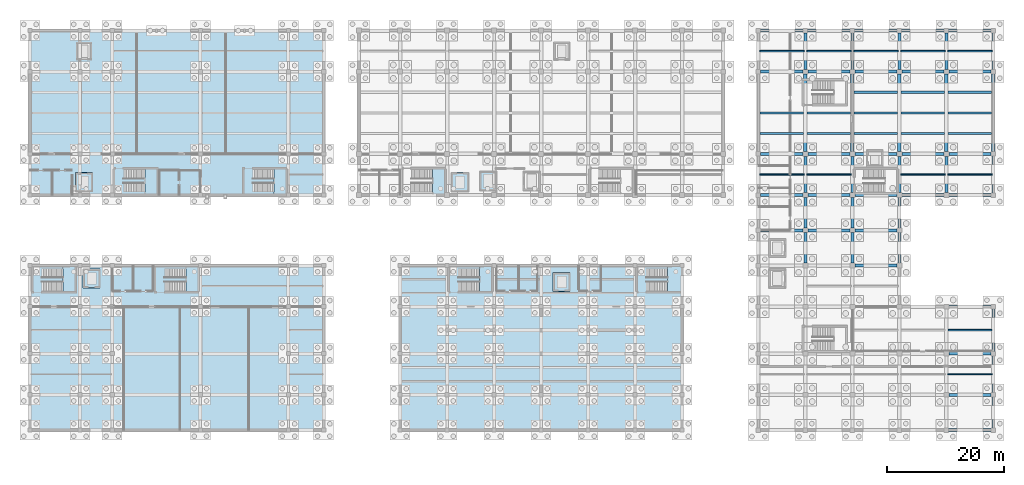
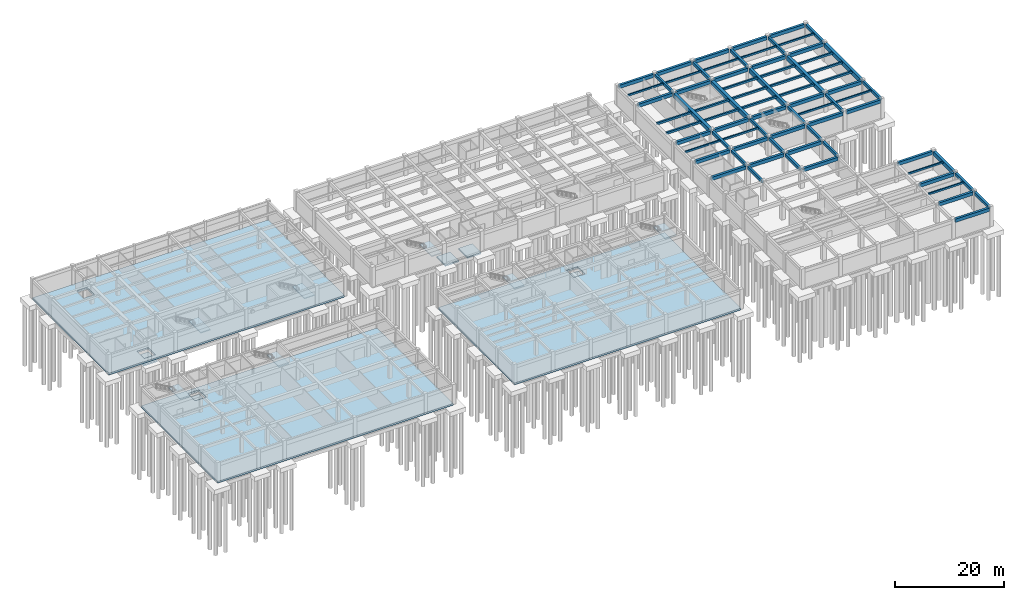
# One storey, part 13 of 28: 76 beams, 15 slabs, 7 elements without a shape of their own.
"""IFC4 building model written with IfcOpenShell, lengths in metres."""

from ifc_helpers import new_model, si_unit, direction, frame, origin, origin_2d, place, context, subcontext, project, spatial, polyline, rectangle, outline, extrude, material, layer, layer_set, material_profile, profile_set, type_object, element, aggregate, save


model = new_model("IFC4")

# Units and contexts
model_context = context("Model", 3, precision=1e-05, world=origin(), true_north=direction((0.0, 1.0)))
body_context = subcontext(model_context, "Body", "Model", "MODEL_VIEW")
ifc_project = project(units=[si_unit("LENGTHUNIT", "METRE"), si_unit("AREAUNIT", "SQUARE_METRE"), si_unit("VOLUMEUNIT", "CUBIC_METRE"), si_unit("PLANEANGLEUNIT", "RADIAN"), si_unit("MASSUNIT", "GRAM", prefix="KILO")], contexts=[model_context])

# Site, building, storey
site_placement = place(None, origin())
site = spatial("IfcSite", under=ifc_project, at=site_placement, CompositionType="ELEMENT")
building_placement = place(site_placement, origin())
building = spatial("IfcBuilding", under=site, at=building_placement, Name="Naurynzar Civic Courthouse", CompositionType="ELEMENT")
storey_placement = place(building_placement, frame((0.0, 0.0, -4.5)))
storey = spatial("IfcBuildingStorey", under=building, at=storey_placement, Name="B01", CompositionType="ELEMENT", Elevation=-4.5)

# Beams
ifc_material_1 = material(Name="Concrete C40/50", Category="concrete")
ifc_material_profile_1 = material_profile(ifc_material_1, rectangle(XDim=0.25, YDim=0.39990234375, at=origin_2d()), Name="RCB 250x400")
ifc_profile_set_1 = profile_set([ifc_material_profile_1], Name="Concrete C40/50")
beam_type_1 = type_object("IfcBeamType", Name="BM-JST-250x400", PredefinedType="JOIST", material=ifc_profile_set_1)
beam_1_placement = place(storey_placement, frame((162.22509765625, 13.5, 4.0), z_axis=(1.0, 0.0, 0.0), x_axis=(0.0, 1.0, 0.0)))
element("IfcBeam", 1, at=beam_1_placement, inside=storey, type_object=beam_type_1, Name="V5 secondary rib 2097 B01", PredefinedType="JOIST", context=body_context, shape_type="SweptSolid", body=[
    extrude(rectangle(XDim=0.25, YDim=0.39990234375, at=origin_2d()), origin(), (0.0, 0.0, 1.0), 7.5498046875),
])
beam_2_placement = place(storey_placement, frame((162.27490234375, 21.0, 4.0), z_axis=(1.0, 0.0, 0.0), x_axis=(0.0, 1.0, 0.0)))
element("IfcBeam", 2, at=beam_2_placement, inside=storey, type_object=beam_type_1, Name="V5 secondary rib 2100 B01", PredefinedType="JOIST", context=body_context, shape_type="SweptSolid", body=[
    extrude(rectangle(XDim=0.25, YDim=0.39990234375, at=origin_2d()), origin(), (0.0, 0.0, 1.0), 7.4501953125),
])
for number, where, z_axis, x_axis, name in (
    (3, (130.22509765625, 47.5, 4.0), (1.0, 0.0, 0.0), (0.0, 1.0, 0.0), "V5 secondary rib 2103 B01"),
    (4, (138.22509765625, 47.5, 4.0), (1.0, 0.0, 0.0), (0.0, 1.0, 0.0), "V5 secondary rib 2104 B01"),
    (5, (154.22509765625, 47.5, 4.0), (1.0, 0.0, 0.0), (0.0, 1.0, 0.0), "V5 secondary rib 2105 B01"),
    (6, (162.22509765625, 47.5, 4.0), (1.0, 0.0, 0.0), (0.0, 1.0, 0.0), "V5 secondary rib 2106 B01"),
    (7, (130.22509765625, 68.5, 4.0), (1.0, 0.0, 0.0), (0.0, 1.0, 0.0), "V5 secondary rib 2120 B01"),
    (8, (138.22509765625, 68.5, 4.0), (1.0, 0.0, 0.0), (0.0, 1.0, 0.0), "V5 secondary rib 2121 B01"),
    (9, (146.22509765625, 68.5, 4.0), (1.0, 0.0, 0.0), (0.0, 1.0, 0.0), "V5 secondary rib 2122 B01"),
    (10, (154.22509765625, 68.5, 4.0), (1.0, 0.0, 0.0), (0.0, 1.0, 0.0), "V5 secondary rib 2123 B01"),
    (11, (162.22509765625, 68.5, 4.0), (1.0, 0.0, 0.0), (0.0, 1.0, 0.0), "V5 secondary rib 2124 B01"),
):
    element("IfcBeam", number, at=place(storey_placement, frame(where, z_axis=z_axis, x_axis=x_axis)), inside=storey, type_object=beam_type_1, Name=name, PredefinedType="JOIST", context=body_context, shape_type="SweptSolid", body=[
        extrude(rectangle(XDim=0.25, YDim=0.39990234375, at=origin_2d()), origin(), (0.0, 0.0, 1.0), 7.5498046875),
    ])
ifc_material_2 = material(Name="Concrete C40/50", Category="concrete")
ifc_material_profile_2 = material_profile(ifc_material_2, rectangle(XDim=0.60009765625, YDim=0.949951171875, at=origin_2d()), Name="PTB 600x950")
ifc_profile_set_2 = profile_set([ifc_material_profile_2], Name="Concrete C40/50")
beam_type_2 = type_object("IfcBeamType", Name="BM-PT-600x950", PredefinedType="T_BEAM", material=ifc_profile_set_2)
for number, where, z_axis, x_axis, name in (
    (12, (138.0, 51.39990234375, 3.72509765625), (0.0, 1.0, 0.0), (-1.0, 0.0, 0.0), "V5 girder Y-2061 B01"),
    (13, (146.0, 51.39990234375, 3.72509765625), (0.0, 1.0, 0.0), (-1.0, 0.0, 0.0), "V5 girder Y-2070 B01"),
    (14, (154.0, 51.39990234375, 3.72509765625), (0.0, 1.0, 0.0), (-1.0, 0.0, 0.0), "V5 girder Y-2079 B01"),
    (15, (162.0, 51.39990234375, 3.72509765625), (0.0, 1.0, 0.0), (-1.0, 0.0, 0.0), "V5 girder Y-2085 B01"),
):
    element("IfcBeam", number, at=place(storey_placement, frame(where, z_axis=z_axis, x_axis=x_axis)), inside=storey, type_object=beam_type_2, Name=name, PredefinedType="T_BEAM", context=body_context, shape_type="SweptSolid", body=[
        extrude(rectangle(XDim=0.60009765625, YDim=0.949951171875, at=origin_2d()), origin(), (0.0, 0.0, 1.0), 13.2001953125),
    ])
beam_3_placement = place(storey_placement, frame((170.0, 51.375, 3.72509765625), z_axis=(0.0, 1.0, 0.0), x_axis=(-1.0, 0.0, 0.0)))
element("IfcBeam", 16, at=beam_3_placement, inside=storey, type_object=beam_type_2, Name="V5 girder Y-2091 B01", PredefinedType="T_BEAM", context=body_context, shape_type="SweptSolid", body=[
    extrude(rectangle(XDim=0.60009765625, YDim=0.949951171875, at=origin_2d()), origin(), (0.0, 0.0, 1.0), 13.25),
])
ifc_material_3 = material(Name="Concrete C40/50", Category="concrete")
ifc_material_profile_3 = material_profile(ifc_material_3, rectangle(XDim=0.35009765625, YDim=0.449951171875, at=origin_2d()), Name="RCB 350x450")
ifc_profile_set_3 = profile_set([ifc_material_profile_3], Name="Concrete C40/50")
beam_type_3 = type_object("IfcBeamType", Name="BM-RC-350x450", PredefinedType="BEAM", material=ifc_profile_set_3)
for number, where, z_axis, x_axis, name in (
    (17, (130.300048828125, 54.5, 3.97509765625), (1.0, 0.0, 0.0), (0.0, 1.0, 0.0), "V5 secondary rib 2107 B01"),
    (18, (130.300048828125, 58.0, 3.97509765625), (1.0, 0.0, 0.0), (0.0, 1.0, 0.0), "V5 secondary rib 2108 B01"),
    (19, (138.300048828125, 54.5, 3.97509765625), (1.0, 0.0, 0.0), (0.0, 1.0, 0.0), "V5 secondary rib 2109 B01"),
    (20, (138.300048828125, 58.0, 3.97509765625), (1.0, 0.0, 0.0), (0.0, 1.0, 0.0), "V5 secondary rib 2110 B01"),
    (21, (146.300048828125, 54.5, 3.97509765625), (1.0, 0.0, 0.0), (0.0, 1.0, 0.0), "V5 secondary rib 2111 B01"),
    (22, (146.300048828125, 58.0, 3.97509765625), (1.0, 0.0, 0.0), (0.0, 1.0, 0.0), "V5 secondary rib 2112 B01"),
    (23, (146.300048828125, 61.5, 3.97509765625), (1.0, 0.0, 0.0), (0.0, 1.0, 0.0), "V5 secondary rib 2113 B01"),
    (24, (154.300048828125, 54.5, 3.97509765625), (1.0, 0.0, 0.0), (0.0, 1.0, 0.0), "V5 secondary rib 2114 B01"),
    (25, (154.300048828125, 58.0, 3.97509765625), (1.0, 0.0, 0.0), (0.0, 1.0, 0.0), "V5 secondary rib 2115 B01"),
    (26, (154.300048828125, 61.5, 3.97509765625), (1.0, 0.0, 0.0), (0.0, 1.0, 0.0), "V5 secondary rib 2116 B01"),
    (27, (162.300048828125, 54.5, 3.97509765625), (1.0, 0.0, 0.0), (0.0, 1.0, 0.0), "V5 secondary rib 2117 B01"),
    (28, (162.300048828125, 58.0, 3.97509765625), (1.0, 0.0, 0.0), (0.0, 1.0, 0.0), "V5 secondary rib 2118 B01"),
    (29, (162.300048828125, 61.5, 3.97509765625), (1.0, 0.0, 0.0), (0.0, 1.0, 0.0), "V5 secondary rib 2119 B01"),
):
    element("IfcBeam", number, at=place(storey_placement, frame(where, z_axis=z_axis, x_axis=x_axis)), inside=storey, type_object=beam_type_3, Name=name, PredefinedType="BEAM", context=body_context, shape_type="SweptSolid", body=[
        extrude(rectangle(XDim=0.35009765625, YDim=0.449951171875, at=origin_2d()), origin(), (0.0, 0.0, 1.0), 7.39990234375),
    ])
ifc_material_4 = material(Name="Concrete C40/50", Category="concrete")
ifc_material_profile_4 = material_profile(ifc_material_4, rectangle(XDim=0.449951171875, YDim=0.64990234375, at=origin_2d()), Name="RCB 450x650")
ifc_profile_set_4 = profile_set([ifc_material_profile_4], Name="Concrete C40/50")
beam_type_4 = type_object("IfcBeamType", Name="BM-RC-450x650", PredefinedType="BEAM", material=ifc_profile_set_4)
for number, where, z_axis, x_axis, name in (
    (30, (138.0, 32.39990234375, 3.875), (0.0, 1.0, 0.0), (-1.0, 0.0, 0.0), "V5 girder Y-2058 B01"),
    (31, (138.0, 38.39990234375, 3.875), (0.0, 1.0, 0.0), (-1.0, 0.0, 0.0), "V5 girder Y-2059 B01"),
):
    element("IfcBeam", number, at=place(storey_placement, frame(where, z_axis=z_axis, x_axis=x_axis)), inside=storey, type_object=beam_type_4, Name=name, PredefinedType="BEAM", context=body_context, shape_type="SweptSolid", body=[
        extrude(rectangle(XDim=0.449951171875, YDim=0.64990234375, at=origin_2d()), origin(), (0.0, 0.0, 1.0), 5.2001953125),
    ])
beam_4_placement = place(storey_placement, frame((138.0, 44.39990234375, 3.875), z_axis=(0.0, 1.0, 0.0), x_axis=(-1.0, 0.0, 0.0)))
element("IfcBeam", 32, at=beam_4_placement, inside=storey, type_object=beam_type_4, Name="V5 girder Y-2060 B01", PredefinedType="BEAM", context=body_context, shape_type="SweptSolid", body=[
    extrude(rectangle(XDim=0.449951171875, YDim=0.64990234375, at=origin_2d()), origin(), (0.0, 0.0, 1.0), 6.2001953125),
])
beam_5_placement = place(storey_placement, frame((138.0, 65.39990234375, 3.875), z_axis=(0.0, 1.0, 0.0), x_axis=(-1.0, 0.0, 0.0)))
element("IfcBeam", 33, at=beam_5_placement, inside=storey, type_object=beam_type_4, Name="V5 girder Y-2062 B01", PredefinedType="BEAM", context=body_context, shape_type="SweptSolid", body=[
    extrude(rectangle(XDim=0.449951171875, YDim=0.64990234375, at=origin_2d()), origin(), (0.0, 0.0, 1.0), 6.22509765625),
])
for number, where, z_axis, x_axis, name in (
    (34, (146.0, 32.39990234375, 3.875), (0.0, 1.0, 0.0), (-1.0, 0.0, 0.0), "V5 girder Y-2067 B01"),
    (35, (146.0, 38.39990234375, 3.875), (0.0, 1.0, 0.0), (-1.0, 0.0, 0.0), "V5 girder Y-2068 B01"),
):
    element("IfcBeam", number, at=place(storey_placement, frame(where, z_axis=z_axis, x_axis=x_axis)), inside=storey, type_object=beam_type_4, Name=name, PredefinedType="BEAM", context=body_context, shape_type="SweptSolid", body=[
        extrude(rectangle(XDim=0.449951171875, YDim=0.64990234375, at=origin_2d()), origin(), (0.0, 0.0, 1.0), 5.2001953125),
    ])
beam_6_placement = place(storey_placement, frame((146.0, 44.39990234375, 3.875), z_axis=(0.0, 1.0, 0.0), x_axis=(-1.0, 0.0, 0.0)))
element("IfcBeam", 36, at=beam_6_placement, inside=storey, type_object=beam_type_4, Name="V5 girder Y-2069 B01", PredefinedType="BEAM", context=body_context, shape_type="SweptSolid", body=[
    extrude(rectangle(XDim=0.449951171875, YDim=0.64990234375, at=origin_2d()), origin(), (0.0, 0.0, 1.0), 6.2001953125),
])
beam_7_placement = place(storey_placement, frame((146.0, 65.39990234375, 3.875), z_axis=(0.0, 1.0, 0.0), x_axis=(-1.0, 0.0, 0.0)))
element("IfcBeam", 37, at=beam_7_placement, inside=storey, type_object=beam_type_4, Name="V5 girder Y-2071 B01", PredefinedType="BEAM", context=body_context, shape_type="SweptSolid", body=[
    extrude(rectangle(XDim=0.449951171875, YDim=0.64990234375, at=origin_2d()), origin(), (0.0, 0.0, 1.0), 6.22509765625),
])
for number, where, z_axis, x_axis, name in (
    (38, (154.0, 32.39990234375, 3.875), (0.0, 1.0, 0.0), (-1.0, 0.0, 0.0), "V5 girder Y-2076 B01"),
    (39, (154.0, 38.39990234375, 3.875), (0.0, 1.0, 0.0), (-1.0, 0.0, 0.0), "V5 girder Y-2077 B01"),
):
    element("IfcBeam", number, at=place(storey_placement, frame(where, z_axis=z_axis, x_axis=x_axis)), inside=storey, type_object=beam_type_4, Name=name, PredefinedType="BEAM", context=body_context, shape_type="SweptSolid", body=[
        extrude(rectangle(XDim=0.449951171875, YDim=0.64990234375, at=origin_2d()), origin(), (0.0, 0.0, 1.0), 5.2001953125),
    ])
beam_8_placement = place(storey_placement, frame((154.0, 44.39990234375, 3.875), z_axis=(0.0, 1.0, 0.0), x_axis=(-1.0, 0.0, 0.0)))
element("IfcBeam", 40, at=beam_8_placement, inside=storey, type_object=beam_type_4, Name="V5 girder Y-2078 B01", PredefinedType="BEAM", context=body_context, shape_type="SweptSolid", body=[
    extrude(rectangle(XDim=0.449951171875, YDim=0.64990234375, at=origin_2d()), origin(), (0.0, 0.0, 1.0), 6.2001953125),
])
beam_9_placement = place(storey_placement, frame((154.0, 65.39990234375, 3.875), z_axis=(0.0, 1.0, 0.0), x_axis=(-1.0, 0.0, 0.0)))
element("IfcBeam", 41, at=beam_9_placement, inside=storey, type_object=beam_type_4, Name="V5 girder Y-2080 B01", PredefinedType="BEAM", context=body_context, shape_type="SweptSolid", body=[
    extrude(rectangle(XDim=0.449951171875, YDim=0.64990234375, at=origin_2d()), origin(), (0.0, 0.0, 1.0), 6.22509765625),
])
beam_10_placement = place(storey_placement, frame((162.0, 44.39990234375, 3.875), z_axis=(0.0, 1.0, 0.0), x_axis=(-1.0, 0.0, 0.0)))
element("IfcBeam", 42, at=beam_10_placement, inside=storey, type_object=beam_type_4, Name="V5 girder Y-2084 B01", PredefinedType="BEAM", context=body_context, shape_type="SweptSolid", body=[
    extrude(rectangle(XDim=0.449951171875, YDim=0.64990234375, at=origin_2d()), origin(), (0.0, 0.0, 1.0), 6.2001953125),
])
beam_11_placement = place(storey_placement, frame((162.0, 65.39990234375, 3.875), z_axis=(0.0, 1.0, 0.0), x_axis=(-1.0, 0.0, 0.0)))
element("IfcBeam", 43, at=beam_11_placement, inside=storey, type_object=beam_type_4, Name="V5 girder Y-2086 B01", PredefinedType="BEAM", context=body_context, shape_type="SweptSolid", body=[
    extrude(rectangle(XDim=0.449951171875, YDim=0.64990234375, at=origin_2d()), origin(), (0.0, 0.0, 1.0), 6.22509765625),
])
beam_12_placement = place(storey_placement, frame((170.0, 4.375, 3.875), z_axis=(0.0, 1.0, 0.0), x_axis=(-1.0, 0.0, 0.0)))
element("IfcBeam", 44, at=beam_12_placement, inside=storey, type_object=beam_type_4, Name="V5 girder Y-2087 B01", PredefinedType="BEAM", context=body_context, shape_type="SweptSolid", body=[
    extrude(rectangle(XDim=0.449951171875, YDim=0.64990234375, at=origin_2d()), origin(), (0.0, 0.0, 1.0), 5.25),
])
for number, where, z_axis, x_axis, name in (
    (45, (170.0, 10.375, 3.875), (0.0, 1.0, 0.0), (-1.0, 0.0, 0.0), "V5 girder Y-2088 B01"),
    (46, (170.0, 44.375, 3.875), (0.0, 1.0, 0.0), (-1.0, 0.0, 0.0), "V5 girder Y-2090 B01"),
    (47, (170.0, 65.375, 3.875), (0.0, 1.0, 0.0), (-1.0, 0.0, 0.0), "V5 girder Y-2092 B01"),
):
    element("IfcBeam", number, at=place(storey_placement, frame(where, z_axis=z_axis, x_axis=x_axis)), inside=storey, type_object=beam_type_4, Name=name, PredefinedType="BEAM", context=body_context, shape_type="SweptSolid", body=[
        extrude(rectangle(XDim=0.449951171875, YDim=0.64990234375, at=origin_2d()), origin(), (0.0, 0.0, 1.0), 6.25),
    ])
ifc_material_5 = material(Name="Concrete C40/50", Category="concrete")
ifc_material_profile_5 = material_profile(ifc_material_5, rectangle(XDim=0.5, YDim=0.75, at=origin_2d()), Name="RCB 500x750")
ifc_profile_set_5 = profile_set([ifc_material_profile_5], Name="Concrete C40/50")
beam_type_5 = type_object("IfcBeamType", Name="BM-RC-500x750", PredefinedType="BEAM", material=ifc_profile_set_5)
beam_13_placement = place(storey_placement, frame((162.375, 4.0, 3.824951171875), z_axis=(1.0, 0.0, 0.0), x_axis=(0.0, 1.0, 0.0)))
element("IfcBeam", 48, at=beam_13_placement, inside=storey, type_object=beam_type_5, Name="V5 beam X-2003 B01", PredefinedType="BEAM", context=body_context, shape_type="SweptSolid", body=[
    extrude(rectangle(XDim=0.5, YDim=0.75, at=origin_2d()), origin(), (0.0, 0.0, 1.0), 7.25),
])
for number, where, z_axis, x_axis, name in (
    (49, (162.39990234375, 10.0, 3.824951171875), (1.0, 0.0, 0.0), (0.0, 1.0, 0.0), "V5 beam X-2008 B01"),
    (50, (162.39990234375, 17.0, 3.824951171875), (1.0, 0.0, 0.0), (0.0, 1.0, 0.0), "V5 beam X-2013 B01"),
    (51, (162.39990234375, 25.0, 3.824951171875), (1.0, 0.0, 0.0), (0.0, 1.0, 0.0), "V5 beam X-2018 B01"),
):
    element("IfcBeam", number, at=place(storey_placement, frame(where, z_axis=z_axis, x_axis=x_axis)), inside=storey, type_object=beam_type_5, Name=name, PredefinedType="BEAM", context=body_context, shape_type="SweptSolid", body=[
        extrude(rectangle(XDim=0.5, YDim=0.75, at=origin_2d()), origin(), (0.0, 0.0, 1.0), 7.22509765625),
    ])
beam_14_placement = place(storey_placement, frame((146.39990234375, 32.0, 3.824951171875), z_axis=(1.0, 0.0, 0.0), x_axis=(0.0, 1.0, 0.0)))
element("IfcBeam", 52, at=beam_14_placement, inside=storey, type_object=beam_type_5, Name="V5 beam X-2021 B01", PredefinedType="BEAM", context=body_context, shape_type="SweptSolid", body=[
    extrude(rectangle(XDim=0.5, YDim=0.75, at=origin_2d()), origin(), (0.0, 0.0, 1.0), 7.2001953125),
])
beam_15_placement = place(storey_placement, frame((130.375, 38.0, 3.824951171875), z_axis=(1.0, 0.0, 0.0), x_axis=(0.0, 1.0, 0.0)))
element("IfcBeam", 53, at=beam_15_placement, inside=storey, type_object=beam_type_5, Name="V5 beam X-2022 B01", PredefinedType="BEAM", context=body_context, shape_type="SweptSolid", body=[
    extrude(rectangle(XDim=0.5, YDim=0.75, at=origin_2d()), origin(), (0.0, 0.0, 1.0), 7.22509765625),
])
for number, where, z_axis, x_axis, name in (
    (54, (138.39990234375, 38.0, 3.824951171875), (1.0, 0.0, 0.0), (0.0, 1.0, 0.0), "V5 beam X-2023 B01"),
    (55, (146.39990234375, 38.0, 3.824951171875), (1.0, 0.0, 0.0), (0.0, 1.0, 0.0), "V5 beam X-2024 B01"),
):
    element("IfcBeam", number, at=place(storey_placement, frame(where, z_axis=z_axis, x_axis=x_axis)), inside=storey, type_object=beam_type_5, Name=name, PredefinedType="BEAM", context=body_context, shape_type="SweptSolid", body=[
        extrude(rectangle(XDim=0.5, YDim=0.75, at=origin_2d()), origin(), (0.0, 0.0, 1.0), 7.2001953125),
    ])
beam_16_placement = place(storey_placement, frame((130.375, 44.0, 3.824951171875), z_axis=(1.0, 0.0, 0.0), x_axis=(0.0, 1.0, 0.0)))
element("IfcBeam", 56, at=beam_16_placement, inside=storey, type_object=beam_type_5, Name="V5 beam X-2025 B01", PredefinedType="BEAM", context=body_context, shape_type="SweptSolid", body=[
    extrude(rectangle(XDim=0.5, YDim=0.75, at=origin_2d()), origin(), (0.0, 0.0, 1.0), 7.22509765625),
])
for number, where, z_axis, x_axis, name in (
    (57, (138.39990234375, 44.0, 3.824951171875), (1.0, 0.0, 0.0), (0.0, 1.0, 0.0), "V5 beam X-2026 B01"),
    (58, (146.39990234375, 44.0, 3.824951171875), (1.0, 0.0, 0.0), (0.0, 1.0, 0.0), "V5 beam X-2027 B01"),
    (59, (154.39990234375, 44.0, 3.824951171875), (1.0, 0.0, 0.0), (0.0, 1.0, 0.0), "V5 beam X-2028 B01"),
):
    element("IfcBeam", number, at=place(storey_placement, frame(where, z_axis=z_axis, x_axis=x_axis)), inside=storey, type_object=beam_type_5, Name=name, PredefinedType="BEAM", context=body_context, shape_type="SweptSolid", body=[
        extrude(rectangle(XDim=0.5, YDim=0.75, at=origin_2d()), origin(), (0.0, 0.0, 1.0), 7.2001953125),
    ])
for number, where, z_axis, x_axis, name in (
    (60, (162.39990234375, 44.0, 3.824951171875), (1.0, 0.0, 0.0), (0.0, 1.0, 0.0), "V5 beam X-2029 B01"),
    (61, (130.375, 51.0, 3.824951171875), (1.0, 0.0, 0.0), (0.0, 1.0, 0.0), "V5 beam X-2030 B01"),
):
    element("IfcBeam", number, at=place(storey_placement, frame(where, z_axis=z_axis, x_axis=x_axis)), inside=storey, type_object=beam_type_5, Name=name, PredefinedType="BEAM", context=body_context, shape_type="SweptSolid", body=[
        extrude(rectangle(XDim=0.5, YDim=0.75, at=origin_2d()), origin(), (0.0, 0.0, 1.0), 7.22509765625),
    ])
for number, where, z_axis, x_axis, name in (
    (62, (138.39990234375, 51.0, 3.824951171875), (1.0, 0.0, 0.0), (0.0, 1.0, 0.0), "V5 beam X-2031 B01"),
    (63, (146.39990234375, 51.0, 3.824951171875), (1.0, 0.0, 0.0), (0.0, 1.0, 0.0), "V5 beam X-2032 B01"),
    (64, (154.39990234375, 51.0, 3.824951171875), (1.0, 0.0, 0.0), (0.0, 1.0, 0.0), "V5 beam X-2033 B01"),
):
    element("IfcBeam", number, at=place(storey_placement, frame(where, z_axis=z_axis, x_axis=x_axis)), inside=storey, type_object=beam_type_5, Name=name, PredefinedType="BEAM", context=body_context, shape_type="SweptSolid", body=[
        extrude(rectangle(XDim=0.5, YDim=0.75, at=origin_2d()), origin(), (0.0, 0.0, 1.0), 7.2001953125),
    ])
for number, where, z_axis, x_axis, name in (
    (65, (162.39990234375, 51.0, 3.824951171875), (1.0, 0.0, 0.0), (0.0, 1.0, 0.0), "V5 beam X-2034 B01"),
    (66, (130.375, 65.0, 3.824951171875), (1.0, 0.0, 0.0), (0.0, 1.0, 0.0), "V5 beam X-2035 B01"),
):
    element("IfcBeam", number, at=place(storey_placement, frame(where, z_axis=z_axis, x_axis=x_axis)), inside=storey, type_object=beam_type_5, Name=name, PredefinedType="BEAM", context=body_context, shape_type="SweptSolid", body=[
        extrude(rectangle(XDim=0.5, YDim=0.75, at=origin_2d()), origin(), (0.0, 0.0, 1.0), 7.22509765625),
    ])
for number, where, z_axis, x_axis, name in (
    (67, (138.39990234375, 65.0, 3.824951171875), (1.0, 0.0, 0.0), (0.0, 1.0, 0.0), "V5 beam X-2036 B01"),
    (68, (146.39990234375, 65.0, 3.824951171875), (1.0, 0.0, 0.0), (0.0, 1.0, 0.0), "V5 beam X-2037 B01"),
    (69, (154.39990234375, 65.0, 3.824951171875), (1.0, 0.0, 0.0), (0.0, 1.0, 0.0), "V5 beam X-2038 B01"),
):
    element("IfcBeam", number, at=place(storey_placement, frame(where, z_axis=z_axis, x_axis=x_axis)), inside=storey, type_object=beam_type_5, Name=name, PredefinedType="BEAM", context=body_context, shape_type="SweptSolid", body=[
        extrude(rectangle(XDim=0.5, YDim=0.75, at=origin_2d()), origin(), (0.0, 0.0, 1.0), 7.2001953125),
    ])
beam_17_placement = place(storey_placement, frame((162.39990234375, 65.0, 3.824951171875), z_axis=(1.0, 0.0, 0.0), x_axis=(0.0, 1.0, 0.0)))
element("IfcBeam", 70, at=beam_17_placement, inside=storey, type_object=beam_type_5, Name="V5 beam X-2039 B01", PredefinedType="BEAM", context=body_context, shape_type="SweptSolid", body=[
    extrude(rectangle(XDim=0.5, YDim=0.75, at=origin_2d()), origin(), (0.0, 0.0, 1.0), 7.22509765625),
])
for number, where, z_axis, x_axis, name in (
    (71, (130.375, 72.0, 3.824951171875), (1.0, 0.0, 0.0), (0.0, 1.0, 0.0), "V5 beam X-2040 B01"),
    (72, (138.375, 72.0, 3.824951171875), (1.0, 0.0, 0.0), (0.0, 1.0, 0.0), "V5 beam X-2041 B01"),
    (73, (146.375, 72.0, 3.824951171875), (1.0, 0.0, 0.0), (0.0, 1.0, 0.0), "V5 beam X-2042 B01"),
    (74, (154.375, 72.0, 3.824951171875), (1.0, 0.0, 0.0), (0.0, 1.0, 0.0), "V5 beam X-2043 B01"),
    (75, (162.375, 72.0, 3.824951171875), (1.0, 0.0, 0.0), (0.0, 1.0, 0.0), "V5 beam X-2044 B01"),
):
    element("IfcBeam", number, at=place(storey_placement, frame(where, z_axis=z_axis, x_axis=x_axis)), inside=storey, type_object=beam_type_5, Name=name, PredefinedType="BEAM", context=body_context, shape_type="SweptSolid", body=[
        extrude(rectangle(XDim=0.5, YDim=0.75, at=origin_2d()), origin(), (0.0, 0.0, 1.0), 7.25),
    ])
ifc_material_6 = material(Name="Concrete C40/50", Category="concrete")
ifc_material_profile_6 = material_profile(ifc_material_6, rectangle(XDim=0.550048828125, YDim=0.89990234375, at=origin_2d()), Name="RCB 550x900")
ifc_profile_set_6 = profile_set([ifc_material_profile_6], Name="Concrete C40/50")
beam_type_6 = type_object("IfcBeamType", Name="BM-RC-550x900", PredefinedType="T_BEAM", material=ifc_profile_set_6)
beam_18_placement = place(storey_placement, frame((170.0, 17.375, 3.75), z_axis=(0.0, 1.0, 0.0), x_axis=(-1.0, 0.0, 0.0)))
element("IfcBeam", 76, at=beam_18_placement, inside=storey, type_object=beam_type_6, Name="V5 girder Y-2089 B01", PredefinedType="T_BEAM", context=body_context, shape_type="SweptSolid", body=[
    extrude(rectangle(XDim=0.550048828125, YDim=0.89990234375, at=origin_2d()), origin(), (0.0, 0.0, 1.0), 7.25),
])

# Slabs
ifc_material_7 = material(Name="Concrete C35/45", Category="concrete")
ifc_layer_1 = layer(ifc_material_7, 0.39990234375)
ifc_layer_set_1 = layer_set([ifc_layer_1], Name="SLB-BASE-400")
slab_type_1 = type_object("IfcSlabType", Name="SLB-BASE-400", PredefinedType="BASESLAB", material=ifc_layer_set_1)
slab_1_placement = place(storey_placement, frame((0.0, 0.0, -0.39990234375)))
element("IfcSlab", 77, at=slab_1_placement, inside=storey, type_object=slab_type_1, Name="V1 base slab B01", PredefinedType="BASESLAB", context=body_context, shape_type="SweptSolid", body=[
    extrude(outline(polyline([(56.0, 44.0), (56.0, 72.0), (6.0, 72.0), (6.0, 44.0), (56.0, 44.0)]), holes=[polyline([(14.0, 44.85009765625), (16.39990234375, 44.85009765625), (16.39990234375, 47.550048828125), (14.0, 47.550048828125), (14.0, 44.85009765625)]), polyline([(14.10009765625, 67.199951171875), (16.300048828125, 67.199951171875), (16.300048828125, 69.800048828125), (14.10009765625, 69.800048828125), (14.10009765625, 67.199951171875)])]), origin(), (0.0, 0.0, 1.0), 0.39990234375),
])
slab_2_placement = place(storey_placement, frame((0.0, 0.0, -0.39990234375)))
element("IfcSlab", 78, at=slab_2_placement, inside=storey, type_object=slab_type_1, Name="V3 base slab B01", PredefinedType="BASESLAB", context=body_context, shape_type="SweptSolid", body=[
    extrude(outline(polyline([(117.0, 4.0), (117.0, 32.0), (69.0, 32.0), (69.0, 4.0), (117.0, 4.0)]), holes=[polyline([(95.300048828125, 27.85009765625), (97.699951171875, 27.85009765625), (97.699951171875, 30.550048828125), (95.300048828125, 30.550048828125), (95.300048828125, 27.85009765625)])]), origin(), (0.0, 0.0, 1.0), 0.39990234375),
])
slab_3_placement = place(storey_placement, frame((0.0, 0.0, -0.39990234375)))
element("IfcSlab", 79, at=slab_3_placement, inside=storey, type_object=slab_type_1, Name="V4 base slab B01", PredefinedType="BASESLAB", context=body_context, shape_type="SweptSolid", body=[
    extrude(outline(polyline([(56.0, 4.0), (56.0, 32.0), (6.0, 32.0), (6.0, 4.0), (56.0, 4.0)]), holes=[polyline([(15.300048828125, 28.449951171875), (17.699951171875, 28.449951171875), (17.699951171875, 31.14990234375), (15.300048828125, 31.14990234375), (15.300048828125, 28.449951171875)])]), origin(), (0.0, 0.0, 1.0), 0.39990234375),
])

# Stair, slab
ifc_material_8 = material(Name="Concrete C35/45", Category="concrete")
stair_type = type_object("IfcStairType", Name="STAIR-CORE-1600", PredefinedType="TWO_STRAIGHT_RUN_STAIR", material=ifc_material_8)
stair_1_placement = place(storey_placement, origin())
stair_1 = element("IfcStair", 80, at=stair_1_placement, inside=storey, type_object=stair_type, Name="Enclosed escape stair ST-V1A B01", PredefinedType="TWO_STRAIGHT_RUN_STAIR")
ifc_material_9 = material(Name="Concrete C35/45", Category="concrete")
ifc_layer_2 = layer(ifc_material_9, 0.199951171875)
ifc_layer_set_2 = layer_set([ifc_layer_2], Name="SLB-LAND-200")
slab_type_2 = type_object("IfcSlabType", Name="SLB-LAND-200", PredefinedType="LANDING", material=ifc_layer_set_2)
slab_4_placement = place(storey_placement, frame((0.0, 0.0, 2.050048828125)))
slab_4 = element("IfcSlab", 81, at=slab_4_placement, type_object=slab_type_2, Name="ST-V1A-B01 landing 1", PredefinedType="LANDING", context=body_context, shape_type="SweptSolid", body=[
    extrude(outline(polyline([(25.5400390625, 44.080078125), (27.669921875, 44.080078125), (27.669921875, 48.52001953125), (25.5400390625, 48.52001953125), (25.5400390625, 44.080078125)])), origin(), (0.0, 0.0, 1.0), 0.199951171875),
])
aggregate(stair_1, [slab_4])

stair_2_placement = place(storey_placement, origin())
stair_2 = element("IfcStair", 82, at=stair_2_placement, inside=storey, type_object=stair_type, Name="Enclosed escape stair ST-V1B B01", PredefinedType="TWO_STRAIGHT_RUN_STAIR")
slab_5_placement = place(storey_placement, frame((0.0, 0.0, 2.050048828125)))
slab_5 = element("IfcSlab", 83, at=slab_5_placement, type_object=slab_type_2, Name="ST-V1B-B01 landing 1", PredefinedType="LANDING", context=body_context, shape_type="SweptSolid", body=[
    extrude(outline(polyline([(47.5400390625, 44.080078125), (49.669921875, 44.080078125), (49.669921875, 48.52001953125), (47.5400390625, 48.52001953125), (47.5400390625, 44.080078125)])), origin(), (0.0, 0.0, 1.0), 0.199951171875),
])
aggregate(stair_2, [slab_5])

stair_3_placement = place(storey_placement, origin())
stair_3 = element("IfcStair", 84, at=stair_3_placement, inside=storey, type_object=stair_type, Name="Enclosed escape stair ST-V4A B01", PredefinedType="TWO_STRAIGHT_RUN_STAIR")
slab_6_placement = place(storey_placement, frame((0.0, 0.0, 2.050048828125)))
slab_6 = element("IfcSlab", 85, at=slab_6_placement, type_object=slab_type_2, Name="ST-V4A-B01 landing 1", PredefinedType="LANDING", context=body_context, shape_type="SweptSolid", body=[
    extrude(outline(polyline([(11.639892578125, 27.47998046875), (13.77001953125, 27.47998046875), (13.77001953125, 31.919921875), (11.639892578125, 31.919921875), (11.639892578125, 27.47998046875)])), origin(), (0.0, 0.0, 1.0), 0.199951171875),
])
aggregate(stair_3, [slab_6])

stair_4_placement = place(storey_placement, origin())
stair_4 = element("IfcStair", 86, at=stair_4_placement, inside=storey, type_object=stair_type, Name="Enclosed escape stair ST-V4B B01", PredefinedType="TWO_STRAIGHT_RUN_STAIR")
slab_7_placement = place(storey_placement, frame((0.0, 0.0, 2.050048828125)))
slab_7 = element("IfcSlab", 87, at=slab_7_placement, type_object=slab_type_2, Name="ST-V4B-B01 landing 1", PredefinedType="LANDING", context=body_context, shape_type="SweptSolid", body=[
    extrude(outline(polyline([(32.5400390625, 27.47998046875), (34.669921875, 27.47998046875), (34.669921875, 31.919921875), (32.5400390625, 31.919921875), (32.5400390625, 27.47998046875)])), origin(), (0.0, 0.0, 1.0), 0.199951171875),
])
aggregate(stair_4, [slab_7])

stair_5_placement = place(storey_placement, origin())
stair_5 = element("IfcStair", 88, at=stair_5_placement, inside=storey, type_object=stair_type, Name="Enclosed escape stair ST-V2A B01", PredefinedType="TWO_STRAIGHT_RUN_STAIR")
slab_8_placement = place(storey_placement, frame((0.0, 0.0, 2.050048828125)))
slab_8 = element("IfcSlab", 89, at=slab_8_placement, type_object=slab_type_2, Name="ST-V2A-B01 landing 1", PredefinedType="LANDING", context=body_context, shape_type="SweptSolid", body=[
    extrude(outline(polyline([(74.5400390625, 44.080078125), (76.669921875, 44.080078125), (76.669921875, 48.52001953125), (74.5400390625, 48.52001953125), (74.5400390625, 44.080078125)])), origin(), (0.0, 0.0, 1.0), 0.199951171875),
])
aggregate(stair_5, [slab_8])

stair_6_placement = place(storey_placement, origin())
stair_6 = element("IfcStair", 90, at=stair_6_placement, inside=storey, type_object=stair_type, Name="Enclosed escape stair ST-V3A B01", PredefinedType="TWO_STRAIGHT_RUN_STAIR")
slab_9_placement = place(storey_placement, frame((0.0, 0.0, 2.050048828125)))
slab_9 = element("IfcSlab", 91, at=slab_9_placement, type_object=slab_type_2, Name="ST-V3A-B01 landing 1", PredefinedType="LANDING", context=body_context, shape_type="SweptSolid", body=[
    extrude(outline(polyline([(82.5400390625, 27.47998046875), (84.669921875, 27.47998046875), (84.669921875, 31.919921875), (82.5400390625, 31.919921875), (82.5400390625, 27.47998046875)])), origin(), (0.0, 0.0, 1.0), 0.199951171875),
])
aggregate(stair_6, [slab_9])

stair_7_placement = place(storey_placement, origin())
stair_7 = element("IfcStair", 92, at=stair_7_placement, inside=storey, type_object=stair_type, Name="Enclosed escape stair ST-V3B B01", PredefinedType="TWO_STRAIGHT_RUN_STAIR")
slab_10_placement = place(storey_placement, frame((0.0, 0.0, 2.050048828125)))
slab_10 = element("IfcSlab", 93, at=slab_10_placement, type_object=slab_type_2, Name="ST-V3B-B01 landing 1", PredefinedType="LANDING", context=body_context, shape_type="SweptSolid", body=[
    extrude(outline(polyline([(114.5400390625, 27.47998046875), (116.919921875, 27.47998046875), (116.919921875, 31.919921875), (114.5400390625, 31.919921875), (114.5400390625, 27.47998046875)])), origin(), (0.0, 0.0, 1.0), 0.199951171875),
])
aggregate(stair_7, [slab_10])

# Slabs
ifc_material_10 = material(Name="Concrete C35/45", Category="concrete")
ifc_layer_3 = layer(ifc_material_10, 0.320068359375)
ifc_layer_set_3 = layer_set([ifc_layer_3], Name="SLB-PIT-320")
slab_type_3 = type_object("IfcSlabType", Name="SLB-PIT-320", PredefinedType="BASESLAB", material=ifc_layer_set_3)
slab_11_placement = place(storey_placement, frame((0.0, 0.0, -1.52001953125)))
element("IfcSlab", 94, at=slab_11_placement, inside=storey, type_object=slab_type_3, Name="Lift LP-01 structural pit slab", PredefinedType="BASESLAB", context=body_context, shape_type="SweptSolid", body=[
    extrude(outline(polyline([(13.75, 44.60009765625), (16.64990234375, 44.60009765625), (16.64990234375, 47.800048828125), (13.75, 47.800048828125), (13.75, 44.60009765625)])), origin(), (0.0, 0.0, 1.0), 0.320068359375),
])
slab_12_placement = place(storey_placement, frame((0.0, 0.0, -1.52001953125)))
element("IfcSlab", 95, at=slab_12_placement, inside=storey, type_object=slab_type_3, Name="Lift LP-02 structural pit slab", PredefinedType="BASESLAB", context=body_context, shape_type="SweptSolid", body=[
    extrude(outline(polyline([(15.050048828125, 28.199951171875), (17.949951171875, 28.199951171875), (17.949951171875, 31.39990234375), (15.050048828125, 31.39990234375), (15.050048828125, 28.199951171875)])), origin(), (0.0, 0.0, 1.0), 0.320068359375),
])
slab_13_placement = place(storey_placement, frame((0.0, 0.0, -1.52001953125)))
element("IfcSlab", 96, at=slab_13_placement, inside=storey, type_object=slab_type_3, Name="Lift LP-03 structural pit slab", PredefinedType="BASESLAB", context=body_context, shape_type="SweptSolid", body=[
    extrude(outline(polyline([(77.75, 44.60009765625), (80.64990234375, 44.60009765625), (80.64990234375, 47.800048828125), (77.75, 47.800048828125), (77.75, 44.60009765625)])), origin(), (0.0, 0.0, 1.0), 0.320068359375),
])
slab_14_placement = place(storey_placement, frame((0.0, 0.0, -1.52001953125)))
element("IfcSlab", 97, at=slab_14_placement, inside=storey, type_object=slab_type_3, Name="Lift FL-02 structural pit slab", PredefinedType="BASESLAB", context=body_context, shape_type="SweptSolid", body=[
    extrude(outline(polyline([(82.550048828125, 44.75), (85.449951171875, 44.75), (85.449951171875, 48.050048828125), (82.550048828125, 48.050048828125), (82.550048828125, 44.75)])), origin(), (0.0, 0.0, 1.0), 0.320068359375),
])
slab_15_placement = place(storey_placement, frame((0.0, 0.0, -1.52001953125)))
element("IfcSlab", 98, at=slab_15_placement, inside=storey, type_object=slab_type_3, Name="Lift LP-04 structural pit slab", PredefinedType="BASESLAB", context=body_context, shape_type="SweptSolid", body=[
    extrude(outline(polyline([(95.050048828125, 27.60009765625), (97.949951171875, 27.60009765625), (97.949951171875, 30.800048828125), (95.050048828125, 30.800048828125), (95.050048828125, 27.60009765625)])), origin(), (0.0, 0.0, 1.0), 0.320068359375),
])

save(model, "model.ifc")
